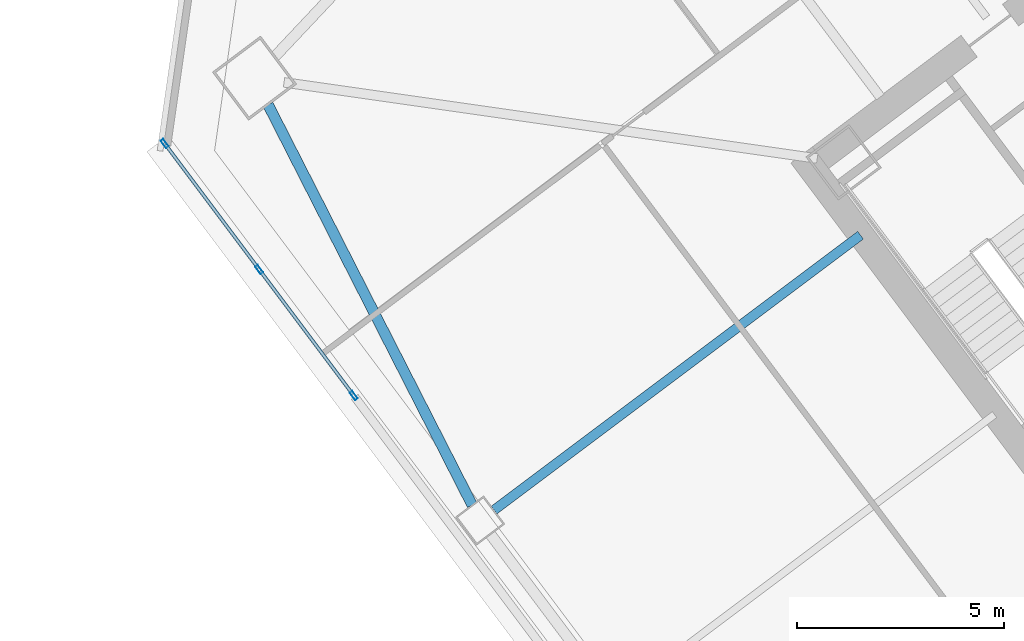
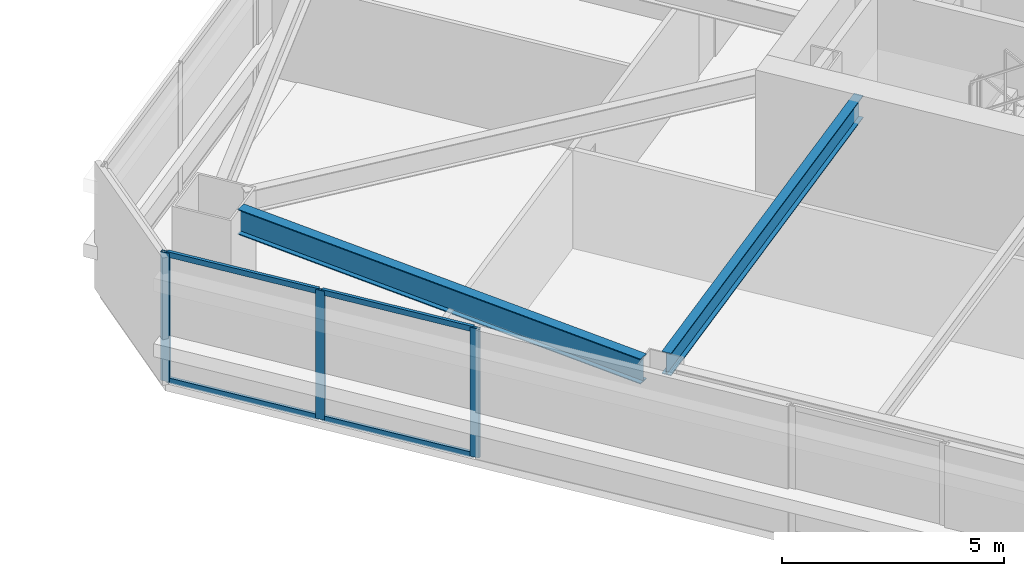
# One storey, part 19 of 44: 7 members, 2 beams, 1 element without a shape of its own.
"""IFC4 building model written with IfcOpenShell, lengths in metres."""

from ifc_helpers import new_model, si_unit, direction, frame, origin, origin_2d, place, context, subcontext, project, spatial, hollow_rectangle, i_section, extrude, material, material_profile, profile_set, type_object, element, aggregate, save


model = new_model("IFC4")

# Units and contexts
model_context = context("Model", 3, precision=1e-05, world=origin(), true_north=direction((0.0, 1.0)))
body_context = subcontext(model_context, "Body", "Model", "MODEL_VIEW")
ifc_project = project(units=[si_unit("LENGTHUNIT", "METRE"), si_unit("AREAUNIT", "SQUARE_METRE"), si_unit("VOLUMEUNIT", "CUBIC_METRE"), si_unit("PLANEANGLEUNIT", "RADIAN"), si_unit("MASSUNIT", "GRAM", prefix="KILO")], contexts=[model_context])

# Site, building, storey
site_placement = place(None, origin())
site = spatial("IfcSite", under=ifc_project, at=site_placement, CompositionType="ELEMENT")
building_placement = place(site_placement, origin())
building = spatial("IfcBuilding", under=site, at=building_placement, Name="Tashvorn Skyway Center", CompositionType="ELEMENT")
storey_placement = place(building_placement, frame((0.0, 0.0, 92.050048828125)))
storey = spatial("IfcBuildingStorey", under=building, at=storey_placement, Name="L24", CompositionType="ELEMENT", Elevation=92.050048828125)

# Beams
ifc_material_1 = material(Name="Steel ASTM A992 Grade 50", Category="steel")
ifc_material_profile_1 = material_profile(ifc_material_1, i_section(OverallWidth=0.22998046875, OverallDepth=0.616943359375, WebThickness=0.01318359375, FlangeThickness=0.022216796875, at=origin_2d()), Name="W24X94")
ifc_profile_set_1 = profile_set([ifc_material_profile_1], Name="Steel ASTM A992 Grade 50")
beam_type_1 = type_object("IfcBeamType", Name="BM-BEAM-W24X94", PredefinedType="BEAM", material=ifc_profile_set_1)
beam_1_placement = place(storey_placement, frame((95.696044921875, 25.02197265625, 3.04150390625), z_axis=(0.799989394625, 0.60001414024, 0.0), x_axis=(-0.60001414024, 0.799989394625, 0.0)))
element("IfcBeam", 1, at=beam_1_placement, inside=storey, type_object=beam_type_1, Name="Tower 2 L24 Primary Floor Girder FC-W1", PredefinedType="BEAM", context=body_context, shape_type="SweptSolid", body=[
    extrude(i_section(OverallWidth=0.22998046875, OverallDepth=0.616943359375, WebThickness=0.01318359375, FlangeThickness=0.022216796875, at=origin_2d()), origin(), (0.0, 0.0, 1.0), 11.050048828125),
])
ifc_material_profile_2 = material_profile(ifc_material_1, i_section(OverallWidth=0.256103515625, OverallDepth=0.693115234375, WebThickness=0.014404296875, FlangeThickness=0.023681640625, at=origin_2d()), Name="W27X114")
ifc_profile_set_2 = profile_set([ifc_material_profile_2], Name="Steel ASTM A992 Grade 50")
beam_type_2 = type_object("IfcBeamType", Name="BM-SPANDREL-W27X114", PredefinedType="SPANDREL", material=ifc_profile_set_2)
beam_2_placement = place(storey_placement, frame((90.2470703125, 34.798583984375, 3.00341796875), z_axis=(0.454210938961, -0.890894170442, 0.0), x_axis=(0.890894170442, 0.454210938961, 0.0)))
element("IfcBeam", 2, at=beam_2_placement, inside=storey, type_object=beam_type_2, Name="Tower 2 L24 Spandrel Beam 10", PredefinedType="SPANDREL", context=body_context, shape_type="SweptSolid", body=[
    extrude(i_section(OverallWidth=0.256103515625, OverallDepth=0.693115234375, WebThickness=0.014404296875, FlangeThickness=0.023681640625, at=origin_2d()), origin(), (0.0, 0.0, 1.0), 10.836669921875),
])

# Curtain wall, members
ifc_material_2 = material(Name="Thermally broken bronze-anodized aluminium 6063-T6", Category="aluminium")
curtain_wall_type = type_object("IfcCurtainWallType", Name="CW-CW-Z2", PredefinedType="NOTDEFINED", material=ifc_material_2)
curtain_wall_placement = place(storey_placement, origin())
curtain_wall = element("IfcCurtainWall", 3, at=curtain_wall_placement, inside=storey, type_object=curtain_wall_type, Name="Tower 2 L24 West Unitised Curtain Wall Glazing Group 3", PredefinedType="NOTDEFINED")
ifc_material_profile_3 = material_profile(ifc_material_2, hollow_rectangle(XDim=0.080078125, YDim=0.219970703125, WallThickness=0.0048828125, at=origin_2d()), Name="ALU-MULL-80x220")
ifc_profile_set_3 = profile_set([ifc_material_profile_3], Name="Thermally broken bronze-anodized aluminium 6063-T6")
member_type_1 = type_object("IfcMemberType", Name="CWM-CW-Z2", PredefinedType="MULLION", material=ifc_profile_set_3)
member_1_placement = place(storey_placement, frame((92.31201171875, 27.783935546875, 0.0), z_axis=(0.0, 0.0, 1.0), x_axis=(-0.799999999998, -0.600000000002, 0.0)))
member_1 = element("IfcMember", 4, at=member_1_placement, type_object=member_type_1, Name="CW-Z2 mullion 1", PredefinedType="MULLION", context=body_context, shape_type="SweptSolid", body=[
    extrude(hollow_rectangle(XDim=0.080078125, YDim=0.219970703125, WallThickness=0.0048828125, at=origin_2d()), origin(), (0.0, 0.0, 1.0), 3.550048828125),
])
member_2_placement = place(storey_placement, frame((90.031982421875, 30.823974609375, 0.0), z_axis=(0.0, 0.0, 1.0), x_axis=(-0.799999999998, -0.600000000002, 0.0)))
member_2 = element("IfcMember", 5, at=member_2_placement, type_object=member_type_1, Name="CW-Z2 mullion 2", PredefinedType="MULLION", context=body_context, shape_type="SweptSolid", body=[
    extrude(hollow_rectangle(XDim=0.080078125, YDim=0.219970703125, WallThickness=0.0048828125, at=origin_2d()), origin(), (0.0, 0.0, 1.0), 3.550048828125),
])
member_3_placement = place(storey_placement, frame((87.751953125, 33.864013671875, 0.0), z_axis=(0.0, 0.0, 1.0), x_axis=(-0.799999999998, -0.600000000002, 0.0)))
member_3 = element("IfcMember", 6, at=member_3_placement, type_object=member_type_1, Name="CW-Z2 mullion 3", PredefinedType="MULLION", context=body_context, shape_type="SweptSolid", body=[
    extrude(hollow_rectangle(XDim=0.080078125, YDim=0.219970703125, WallThickness=0.0048828125, at=origin_2d()), origin(), (0.0, 0.0, 1.0), 3.550048828125),
])
ifc_material_profile_4 = material_profile(ifc_material_2, hollow_rectangle(XDim=0.080078125, YDim=0.14990234375, WallThickness=0.00439453125, at=origin_2d()), Name="ALU-TRAN-80x150")
ifc_profile_set_4 = profile_set([ifc_material_profile_4], Name="Thermally broken bronze-anodized aluminium 6063-T6")
member_type_2 = type_object("IfcMemberType", Name="CWT-CW-Z2", PredefinedType="USERDEFINED", material=ifc_profile_set_4)
member_4_placement = place(storey_placement, frame((92.2880859375, 27.81591796875, 0.0400390625), z_axis=(-0.6000210002, 0.799984249419, 0.0), x_axis=(-0.799984249419, -0.6000210002, 0.0)))
member_4 = element("IfcMember", 7, at=member_4_placement, type_object=member_type_2, Name="CW-Z2 transom 1.1", ObjectType="TRANSOM", PredefinedType="USERDEFINED", context=body_context, shape_type="SweptSolid", body=[
    extrude(hollow_rectangle(XDim=0.080078125, YDim=0.14990234375, WallThickness=0.00439453125, at=origin_2d()), origin(), (0.0, 0.0, 1.0), 3.72021484375),
])
member_5_placement = place(storey_placement, frame((92.2880859375, 27.81591796875, 3.510009765625), z_axis=(-0.6000210002, 0.799984249419, 0.0), x_axis=(-0.799984249419, -0.6000210002, 0.0)))
member_5 = element("IfcMember", 8, at=member_5_placement, type_object=member_type_2, Name="CW-Z2 transom 1.2", ObjectType="TRANSOM", PredefinedType="USERDEFINED", context=body_context, shape_type="SweptSolid", body=[
    extrude(hollow_rectangle(XDim=0.080078125, YDim=0.14990234375, WallThickness=0.00439453125, at=origin_2d()), origin(), (0.0, 0.0, 1.0), 3.72021484375),
])
member_6_placement = place(storey_placement, frame((90.008056640625, 30.85595703125, 0.0400390625), z_axis=(-0.6000210002, 0.799984249419, 0.0), x_axis=(-0.799984249419, -0.6000210002, 0.0)))
member_6 = element("IfcMember", 9, at=member_6_placement, type_object=member_type_2, Name="CW-Z2 transom 2.1", ObjectType="TRANSOM", PredefinedType="USERDEFINED", context=body_context, shape_type="SweptSolid", body=[
    extrude(hollow_rectangle(XDim=0.080078125, YDim=0.14990234375, WallThickness=0.00439453125, at=origin_2d()), origin(), (0.0, 0.0, 1.0), 3.72021484375),
])
member_7_placement = place(storey_placement, frame((90.008056640625, 30.85595703125, 3.510009765625), z_axis=(-0.6000210002, 0.799984249419, 0.0), x_axis=(-0.799984249419, -0.6000210002, 0.0)))
member_7 = element("IfcMember", 10, at=member_7_placement, type_object=member_type_2, Name="CW-Z2 transom 2.2", ObjectType="TRANSOM", PredefinedType="USERDEFINED", context=body_context, shape_type="SweptSolid", body=[
    extrude(hollow_rectangle(XDim=0.080078125, YDim=0.14990234375, WallThickness=0.00439453125, at=origin_2d()), origin(), (0.0, 0.0, 1.0), 3.72021484375),
])
aggregate(curtain_wall, [member_1, member_2, member_3, member_4, member_5, member_6, member_7])

save(model, "model.ifc")
